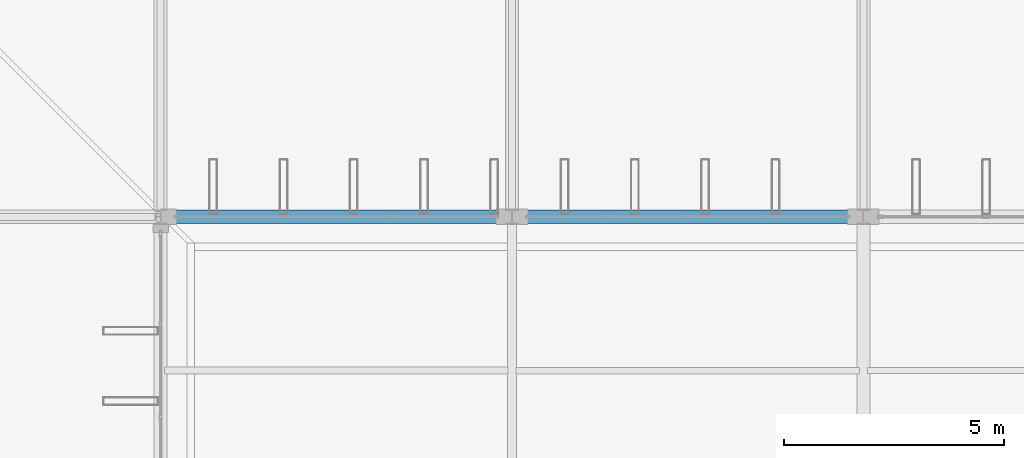
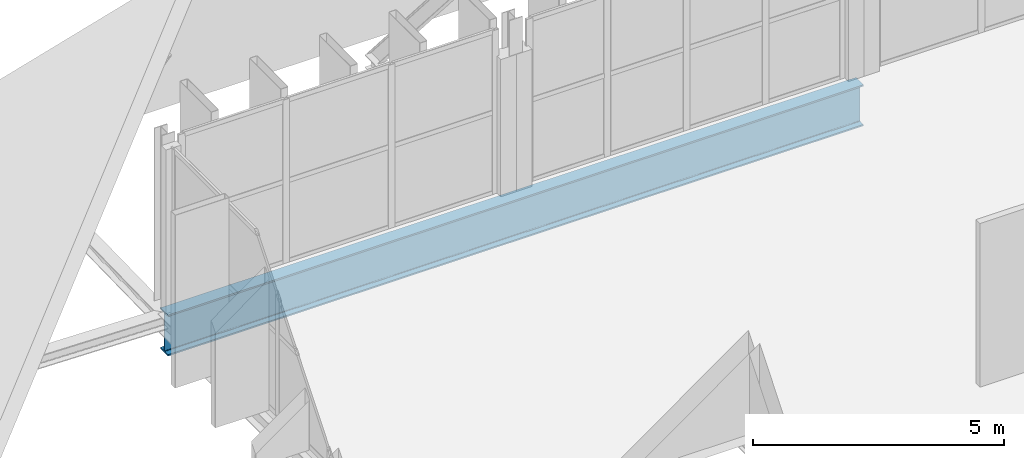
# One storey, part 26 of 93: 1 beam.
"""IFC4 building model written with IfcOpenShell, lengths in metres."""

import ifcopenshell
import ifcopenshell.guid

model = None  # the IFC model being written
_history = None  # IfcOwnerHistory: only IFC2X3 demands one
_inside = {}  # id of a spatial element -> (the spatial element, [elements in it])
_under = {}  # id of a project, library or spatial element -> (it, [spatial elements below it])
_declared = {}  # id of a project -> (the project, [libraries it declares])
_typed = {}  # id of a type object -> (the type object, [elements of that type])
_made_of = {}  # id of a material, layer set ... -> (it, [elements and type objects made of it])


def new_model(schema):
    """Start an empty IFC model of exactly this schema.

    Asked for "IFC4X3", IfcOpenShell would pick the latest addendum, in which some entities
    have other attributes; the version numbers below select the first issue.
    IFC2X3 requires an IfcOwnerHistory on every rooted entity: one is made here for all.
    """
    global model, _history
    if schema == "IFC4X3":
        model = ifcopenshell.file(schema_version=(4, 3, 0, 0))
    else:
        model = ifcopenshell.file(schema=schema)
    _inside.clear()
    _under.clear()
    _declared.clear()
    _typed.clear()
    _made_of.clear()
    _history = None
    if model.schema == "IFC2X3":
        org = make("IfcOrganization", Name="unknown")
        user = make(
            "IfcPersonAndOrganization",
            ThePerson=make("IfcPerson", FamilyName="unknown"),
            TheOrganization=org,
        )
        app = make(
            "IfcApplication",
            ApplicationDeveloper=org,
            Version="unknown",
            ApplicationFullName="unknown",
            ApplicationIdentifier="unknown",
        )
        _history = make(
            "IfcOwnerHistory",
            OwningUser=user,
            OwningApplication=app,
            ChangeAction="ADDED",
            CreationDate=0,
        )
    return model


def make(cls, **values):
    """One entity of the class cls with the attributes given. An attribute that is None is left unset."""
    return model.create_entity(
        cls, **{name: value for name, value in values.items() if value is not None}
    )


def rooted(cls, **values):
    """An entity with a GlobalId (a new one), such as an element, a storey or a relation."""
    return make(cls, GlobalId=ifcopenshell.guid.new(), OwnerHistory=_history, **values)


def si_unit(unit_type, name, prefix=None):
    """IfcSIUnit, for example si_unit("LENGTHUNIT", "METRE", prefix="MILLI")."""
    return make("IfcSIUnit", UnitType=unit_type, Prefix=prefix, Name=name)


def assignment(units):
    """IfcUnitAssignment: the units of a project."""
    return None if units is None else make("IfcUnitAssignment", Units=units)


def point(xyz):
    """IfcCartesianPoint."""
    return None if xyz is None else make("IfcCartesianPoint", Coordinates=xyz)


def direction(xyz):
    """IfcDirection."""
    return None if xyz is None else make("IfcDirection", DirectionRatios=xyz)


def frame(location, z_axis=None, x_axis=None):
    """IfcAxis2Placement3D, a coordinate frame: its origin and axes. An axis left out is left unset."""
    return make(
        "IfcAxis2Placement3D",
        Location=point(location),
        Axis=direction(z_axis),
        RefDirection=direction(x_axis),
    )


def frame_2d(location, x_axis=None):
    """IfcAxis2Placement2D, a coordinate frame in the plane: its origin and x axis."""
    return make(
        "IfcAxis2Placement2D", Location=point(location), RefDirection=direction(x_axis)
    )


def origin():
    """The frame at (0, 0, 0) with its axes left unset."""
    return frame((0.0, 0.0, 0.0))


def origin_2d():
    """The frame at (0, 0) in the plane with its x axis left unset."""
    return frame_2d((0.0, 0.0))


def place(relative_to, where):
    """IfcLocalPlacement: puts the frame where relative to a parent placement (None: the world)."""
    return make(
        "IfcLocalPlacement", PlacementRelTo=relative_to, RelativePlacement=where
    )


def context(
    kind, dimensions, precision=None, world=None, true_north=None, identifier=None
):
    """IfcGeometricRepresentationContext, for example the 3D "Model" context."""
    return make(
        "IfcGeometricRepresentationContext",
        ContextIdentifier=identifier,
        ContextType=kind,
        CoordinateSpaceDimension=dimensions,
        Precision=precision,
        WorldCoordinateSystem=world,
        TrueNorth=true_north,
    )


def subcontext(parent, identifier, kind, view, scale=None):
    """IfcGeometricRepresentationSubContext, for example "Body" below "Model"."""
    return make(
        "IfcGeometricRepresentationSubContext",
        ContextIdentifier=identifier,
        ContextType=kind,
        ParentContext=parent,
        TargetScale=scale,
        TargetView=view,
    )


def project(units=None, contexts=None):
    """IfcProject with its units and contexts."""
    return rooted(
        "IfcProject",
        Name="project",
        RepresentationContexts=contexts,
        UnitsInContext=assignment(units),
    )


def spatial(cls, under=None, at=None, **own):
    """A site, building, storey or space (cls), placed at a placement, below another one or the project."""
    s = rooted(cls, ObjectPlacement=at, **own)
    if under is not None:
        _under.setdefault(under.id(), (under, []))[1].append(s)
    return s


def profile(cls, at=None, kind="AREA", **sizes):
    """A parametric profile (cls). Its sizes go by their IFC names, for example OverallWidth=200.0."""
    return make(cls, ProfileType=kind, Position=at, **sizes)


def i_section(**sizes):
    """IfcIShapeProfileDef."""
    return profile("IfcIShapeProfileDef", **sizes)


def extrude(swept, where, along, depth):
    """IfcExtrudedAreaSolid: the profile swept, set in the frame where, extruded along a direction by depth."""
    return make(
        "IfcExtrudedAreaSolid",
        SweptArea=swept,
        Position=where,
        ExtrudedDirection=direction(along),
        Depth=depth,
    )


def shape(context_of_items, identifier, shape_type, items):
    """IfcShapeRepresentation: the items that make up one representation, for example the "Body"."""
    return make(
        "IfcShapeRepresentation",
        ContextOfItems=context_of_items,
        RepresentationIdentifier=identifier,
        RepresentationType=shape_type,
        Items=items,
    )


def material(Name=None, Category=None):
    """IfcMaterial."""
    return make("IfcMaterial", Name=Name, Category=Category)


def material_profile(
    of_material, cross_section, Name=None, Category=None, Priority=None
):
    """IfcMaterialProfile: a cross section and its material."""
    return make(
        "IfcMaterialProfile",
        Name=Name,
        Material=of_material,
        Profile=cross_section,
        Priority=Priority,
        Category=Category,
    )


def profile_set(profiles, Name=None, composite=None):
    """IfcMaterialProfileSet."""
    return make(
        "IfcMaterialProfileSet",
        Name=Name,
        MaterialProfiles=profiles,
        CompositeProfile=composite,
    )


def made_of(thing, what):
    """Note that an element or type object is made of a material, layer set ...; save() writes the relation."""
    if what is not None:
        _made_of.setdefault(what.id(), (what, []))[1].append(thing)
    return thing


def type_object(cls, material=None, **own):
    """A type object (cls), such as IfcWallType, which elements share."""
    return made_of(rooted(cls, **own), material)


def element(
    cls,
    number,
    at=None,
    inside=None,
    cuts=None,
    type_object=None,
    material=None,
    context=None,
    identifier="Body",
    shape_type=None,
    held_by="IfcProductDefinitionShape",
    body=None,
    shapes=None,
    **own,
):
    """One element of the class cls, such as IfcWall. Its Tag is "e" and its number.

    at: its placement. inside: the storey or other place that contains it. cuts: it is an
    opening in that element (IfcRelVoidsElement). A single representation is given by context,
    identifier, shape_type and body (its items); several are given by shapes. held_by: the class
    of the entity that holds the representations. save() writes the other relations.
    """
    e = rooted(cls, Tag="e%d" % number, ObjectPlacement=at, **own)
    if body is not None:
        shapes = [shape(context, identifier, shape_type, body)]
    if shapes is not None:
        e.Representation = make(held_by, Representations=shapes)
    if inside is not None:
        _inside.setdefault(inside.id(), (inside, []))[1].append(e)
    if cuts is not None:
        rooted(
            "IfcRelVoidsElement", RelatingBuildingElement=cuts, RelatedOpeningElement=e
        )
    if type_object is not None:
        _typed.setdefault(type_object.id(), (type_object, []))[1].append(e)
    return made_of(e, material)


def aggregate(whole, parts):
    """IfcRelAggregates: a whole, such as a stair, and the parts it consists of."""
    return rooted("IfcRelAggregates", RelatingObject=whole, RelatedObjects=parts)


def save(model, path):
    """Write the relations noted so far, then the file.

    IfcRelAggregates (storeys below a building ...), IfcRelContainedInSpatialStructure (elements
    in a storey), IfcRelDefinesByType, IfcRelAssociatesMaterial and IfcRelDeclares: one each for
    every whole, place, type object, material and project.
    """
    for whole, parts in _under.values():
        aggregate(whole, parts)
    for where, things in _inside.values():
        rooted(
            "IfcRelContainedInSpatialStructure",
            RelatedElements=things,
            RelatingStructure=where,
        )
    for kind, things in _typed.values():
        rooted("IfcRelDefinesByType", RelatedObjects=things, RelatingType=kind)
    for what, things in _made_of.values():
        rooted("IfcRelAssociatesMaterial", RelatedObjects=things, RelatingMaterial=what)
    for by, libraries in _declared.values():
        rooted("IfcRelDeclares", RelatingContext=by, RelatedDefinitions=libraries)
    model.write(path)


model = new_model("IFC4")

# Units and contexts
model_context = context("Model", 3, precision=1e-05, world=origin(), true_north=direction((0.0, 1.0)))
body_context = subcontext(model_context, "Body", "Model", "MODEL_VIEW")
ifc_project = project(units=[si_unit("LENGTHUNIT", "METRE"), si_unit("AREAUNIT", "SQUARE_METRE"), si_unit("VOLUMEUNIT", "CUBIC_METRE"), si_unit("PLANEANGLEUNIT", "RADIAN"), si_unit("MASSUNIT", "GRAM", prefix="KILO")], contexts=[model_context])

# Site, building, storey
site_placement = place(None, origin())
site = spatial("IfcSite", under=ifc_project, at=site_placement, CompositionType="ELEMENT")
building_placement = place(site_placement, origin())
building = spatial("IfcBuilding", under=site, at=building_placement, Name="Vekula Escarpment Museum", CompositionType="ELEMENT")
storey_placement = place(building_placement, frame((0.0, 0.0, 22.199951171875)))
storey = spatial("IfcBuildingStorey", under=building, at=storey_placement, Name="L05", CompositionType="ELEMENT", Elevation=22.199951171875)

# Beam
ifc_material = material(Name="Steel S355", Category="steel")
ifc_material_profile = material_profile(ifc_material, i_section(OverallWidth=0.300048828125, OverallDepth=1.0, WebThickness=0.01904296875, FlangeThickness=0.035888671875, FilletRadius=0.030029296875, at=origin_2d()), Name="HEB 1000")
ifc_profile_set = profile_set([ifc_material_profile], Name="Steel S355")
beam_type = type_object("IfcBeamType", Name="BM-TRUSS-CHORD-BOT", PredefinedType="BEAM", material=ifc_profile_set)
beam_placement = place(storey_placement, frame((70.0, 90.39990234375, -0.719970703125), z_axis=(1.0, 0.0, 0.0), x_axis=(0.0, 1.0, 0.0)))
element("IfcBeam", 1, at=beam_placement, inside=storey, type_object=beam_type, Name="Beam X L05 2047", PredefinedType="BEAM", context=body_context, shape_type="SweptSolid", body=[
    extrude(i_section(OverallWidth=0.300048828125, OverallDepth=1.0, WebThickness=0.01904296875, FlangeThickness=0.035888671875, FilletRadius=0.030029296875, at=origin_2d()), origin(), (0.0, 0.0, 1.0), 16.0),
])

save(model, "model.ifc")
